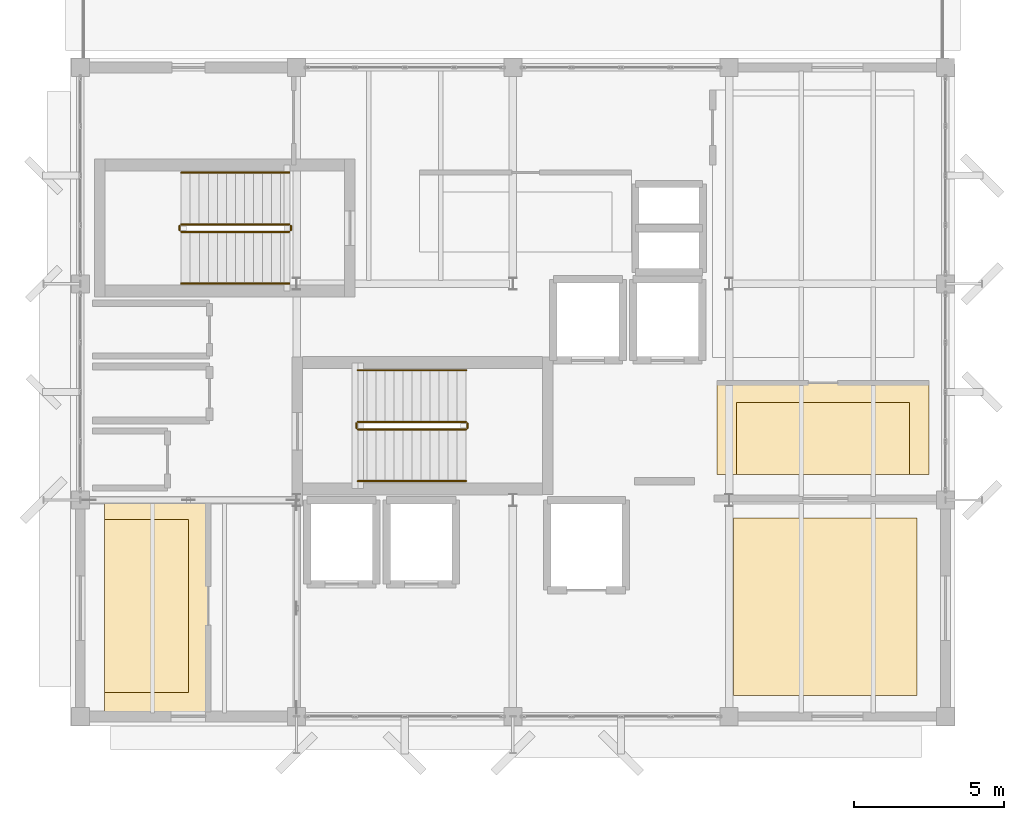
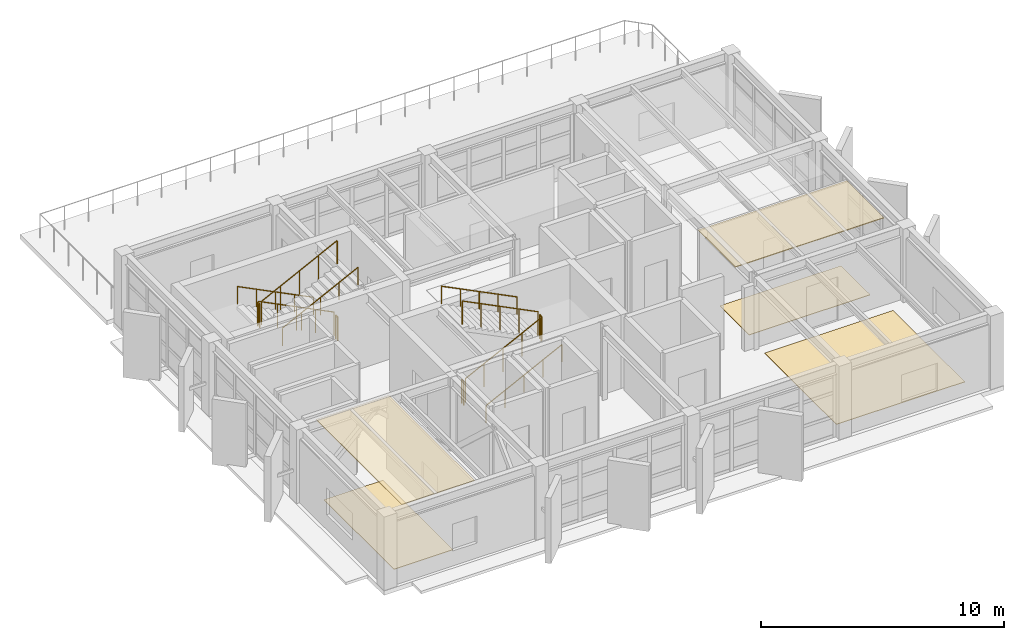
# One storey, part 15 of 16: 12 railings, 5 coverings.
"""IFC4 building model written with IfcOpenShell, lengths in metres."""

from ifc_helpers import new_model, si_unit, direction, frame, origin, origin_2d, place, context, subcontext, project, spatial, polyline, circle, outline, extrude, material, layer, layer_set, type_object, element, save


model = new_model("IFC4")

# Units and contexts
model_context = context("Model", 3, precision=1e-05, world=origin(), true_north=direction((0.0, 1.0)))
body_context = subcontext(model_context, "Body", "Model", "MODEL_VIEW")
ifc_project = project(units=[si_unit("LENGTHUNIT", "METRE"), si_unit("AREAUNIT", "SQUARE_METRE"), si_unit("VOLUMEUNIT", "CUBIC_METRE"), si_unit("PLANEANGLEUNIT", "RADIAN"), si_unit("MASSUNIT", "GRAM", prefix="KILO")], contexts=[model_context])

# Site, building, storey
site_placement = place(None, origin())
site = spatial("IfcSite", under=ifc_project, at=site_placement, CompositionType="ELEMENT")
building_placement = place(site_placement, origin())
building = spatial("IfcBuilding", under=site, at=building_placement, Name="Kandorven Conservatory and Botanical Research Centre", CompositionType="ELEMENT")
storey_placement = place(building_placement, frame((0.0, 0.0, 44.39990234375)))
storey = spatial("IfcBuildingStorey", under=building, at=storey_placement, Name="L11", CompositionType="ELEMENT", Elevation=44.39990234375)

# Coverings
ifc_material_1 = material(Name="Perforated mineral-fibre acoustic ceiling tile", Category="gypsum")
ifc_layer_1 = layer(ifc_material_1, 0.0400390625)
ifc_layer_set_1 = layer_set([ifc_layer_1], Name="Perforated mineral-fibre acoustic ceiling tile")
covering_type_1 = type_object("IfcCoveringType", Name="Cov_Ceiling_1", PredefinedType="CEILING", material=ifc_layer_set_1)
covering_1_placement = place(storey_placement, frame((0.0, 0.0, 3.630126953125)))
element("IfcCovering", 1, at=covering_1_placement, inside=storey, type_object=covering_type_1, Name="Suspended acoustic ceiling CLG-01 (Seed Ecology Research Studio L11)", PredefinedType="CEILING", context=body_context, shape_type="SweptSolid", body=[
    extrude(outline(polyline([(27.199951171875, 14.050048828125), (34.25, 14.050048828125), (34.25, 17.10009765625), (27.199951171875, 17.10009765625), (27.199951171875, 14.050048828125)])), origin(), (0.0, 0.0, 1.0), 0.0400390625),
])
covering_2_placement = place(storey_placement, frame((0.0, 0.0, 3.630126953125)))
element("IfcCovering", 2, at=covering_2_placement, inside=storey, type_object=covering_type_1, Name="Suspended acoustic ceiling CLG-01 (Senior Curator Research Studio L11)", PredefinedType="CEILING", context=body_context, shape_type="SweptSolid", body=[
    extrude(outline(polyline([(6.800048828125, 6.14990234375), (10.25, 6.14990234375), (10.25, 13.199951171875), (6.800048828125, 13.199951171875), (6.800048828125, 6.14990234375)])), origin(), (0.0, 0.0, 1.0), 0.0400390625),
])
ifc_material_2 = material(Name="Honed Kota stone and epoxy laboratory flooring", Category="masonry")
ifc_layer_2 = layer(ifc_material_2, 0.02490234375)
ifc_layer_set_2 = layer_set([ifc_layer_2], Name="Honed Kota stone and epoxy laboratory flooring")
covering_type_2 = type_object("IfcCoveringType", Name="Cov_Flooring_1", PredefinedType="FLOORING", material=ifc_layer_set_2)
covering_3_placement = place(storey_placement, origin())
element("IfcCovering", 3, at=covering_3_placement, inside=storey, type_object=covering_type_2, Name="Floor finish FLR-01 (Seed Ecology Research Studio L11)", PredefinedType="FLOORING", context=body_context, shape_type="SweptSolid", body=[
    extrude(outline(polyline([(27.85009765625, 14.050048828125), (33.60009765625, 14.050048828125), (33.60009765625, 16.449951171875), (27.85009765625, 16.449951171875), (27.85009765625, 14.050048828125)])), origin(), (0.0, 0.0, 1.0), 0.025146484375),
])
covering_4_placement = place(storey_placement, origin())
element("IfcCovering", 4, at=covering_4_placement, inside=storey, type_object=covering_type_2, Name="Floor finish FLR-01 (Herbarium Desiccant Dehumidification Plant Room L11)", PredefinedType="FLOORING", context=body_context, shape_type="SweptSolid", body=[
    extrude(outline(polyline([(27.75, 6.699951171875), (33.85009765625, 6.699951171875), (33.85009765625, 12.60009765625), (27.75, 12.60009765625), (27.75, 6.699951171875)])), origin(), (0.0, 0.0, 1.0), 0.025146484375),
])
covering_5_placement = place(storey_placement, origin())
element("IfcCovering", 5, at=covering_5_placement, inside=storey, type_object=covering_type_2, Name="Floor finish FLR-01 (Senior Curator Research Studio L11)", PredefinedType="FLOORING", context=body_context, shape_type="SweptSolid", body=[
    extrude(outline(polyline([(6.800048828125, 6.800048828125), (9.60009765625, 6.800048828125), (9.60009765625, 12.550048828125), (6.800048828125, 12.550048828125), (6.800048828125, 6.800048828125)])), origin(), (0.0, 0.0, 1.0), 0.025146484375),
])

# Railings
ifc_material_3 = material(Name="Steel S355 (IS 2062 E350)", Category="steel")
railing_type_1 = type_object("IfcRailingType", Name="StairGuard_1150", PredefinedType="BALUSTRADE", material=ifc_material_3)
railing_1_placement = place(storey_placement, frame((15.239990234375, 15.550048828125, 0.150146484375)))
element("IfcRailing", 6, at=railing_1_placement, inside=storey, type_object=railing_type_1, Name="L11 ST-T1 stair guard 1", PredefinedType="BALUSTRADE", context=body_context, shape_type="SweptSolid", body=[
    extrude(circle(Radius=0.02392578125, at=origin_2d()), frame((0.0, 0.0, 1.17578125), z_axis=(0.894427191, 0.0, 0.4472135955), x_axis=(0.0, 1.0, 0.0)), (0.0, 0.0, 1.0), 4.025146484375),
    extrude(circle(Radius=0.02099609375, at=origin_2d()), origin(), (0.0, 0.0, 1.0), 1.15185546875),
    extrude(circle(Radius=0.02099609375, at=origin_2d()), frame((0.89990234375, 0.0, 0.449951171875)), (0.0, 0.0, 1.0), 1.15185546875),
    extrude(circle(Radius=0.02099609375, at=origin_2d()), frame((1.800048828125, 0.0, 0.89990234375)), (0.0, 0.0, 1.0), 1.15185546875),
    extrude(circle(Radius=0.02099609375, at=origin_2d()), frame((2.7001953125, 0.0, 1.35009765625)), (0.0, 0.0, 1.0), 1.15185546875),
    extrude(circle(Radius=0.02099609375, at=origin_2d()), frame((3.60009765625, 0.0, 1.800048828125)), (0.0, 0.0, 1.0), 1.15185546875),
])
railing_2_placement = place(storey_placement, frame((18.889892578125, 15.60009765625, 1.9501953125)))
element("IfcRailing", 7, at=railing_2_placement, inside=storey, type_object=railing_type_1, Name="L11 ST-T1 stair guard 2", PredefinedType="BALUSTRADE", context=body_context, shape_type="SweptSolid", body=[
    extrude(circle(Radius=0.02392578125, at=origin_2d()), frame((0.0, 0.0, 1.17578125), z_axis=(0.0, 1.0, 0.0), x_axis=(-1.0, 0.0, 0.0)), (0.0, 0.0, 1.0), 0.14990234375),
    extrude(circle(Radius=0.02099609375, at=origin_2d()), origin(), (0.0, 0.0, 1.0), 1.15185546875),
    extrude(circle(Radius=0.02099609375, at=origin_2d()), frame((0.0, 0.14990234375, 0.0)), (0.0, 0.0, 1.0), 1.15185546875),
])
railing_3_placement = place(storey_placement, frame((18.840087890625, 15.800048828125, 2.10009765625)))
element("IfcRailing", 8, at=railing_3_placement, inside=storey, type_object=railing_type_1, Name="L11 ST-T1 stair guard 3", PredefinedType="BALUSTRADE", context=body_context, shape_type="SweptSolid", body=[
    extrude(circle(Radius=0.02392578125, at=origin_2d()), frame((0.0, 0.0, 1.17578125), z_axis=(-0.894427191, 0.0, 0.4472135955), x_axis=(0.0, -1.0, 0.0)), (0.0, 0.0, 1.0), 4.025146484375),
    extrude(circle(Radius=0.02099609375, at=origin_2d()), origin(), (0.0, 0.0, 1.0), 1.15185546875),
    extrude(circle(Radius=0.02099609375, at=origin_2d()), frame((-0.89990234375, 0.0, 0.449951171875)), (0.0, 0.0, 1.0), 1.15185546875),
    extrude(circle(Radius=0.02099609375, at=origin_2d()), frame((-1.800048828125, 0.0, 0.89990234375)), (0.0, 0.0, 1.0), 1.15185546875),
    extrude(circle(Radius=0.02099609375, at=origin_2d()), frame((-2.7001953125, 0.0, 1.35009765625)), (0.0, 0.0, 1.0), 1.15185546875),
    extrude(circle(Radius=0.02099609375, at=origin_2d()), frame((-3.60009765625, 0.0, 1.800048828125)), (0.0, 0.0, 1.0), 1.15185546875),
])
railing_4_placement = place(storey_placement, frame((15.18994140625, 15.60009765625, 0.0)))
element("IfcRailing", 9, at=railing_4_placement, inside=storey, type_object=railing_type_1, Name="L11 ST-T1 stair guard 4", PredefinedType="BALUSTRADE", context=body_context, shape_type="SweptSolid", body=[
    extrude(circle(Radius=0.02392578125, at=origin_2d()), frame((0.0, 0.0, 1.17578125), z_axis=(0.0, 1.0, 0.0), x_axis=(-1.0, 0.0, 0.0)), (0.0, 0.0, 1.0), 0.14990234375),
    extrude(circle(Radius=0.02099609375, at=origin_2d()), origin(), (0.0, 0.0, 1.0), 1.15185546875),
    extrude(circle(Radius=0.02099609375, at=origin_2d()), frame((0.0, 0.14990234375, 0.0)), (0.0, 0.0, 1.0), 1.15185546875),
])
railing_5_placement = place(storey_placement, frame((12.9599609375, 22.3798828125, 0.150146484375)))
element("IfcRailing", 10, at=railing_5_placement, inside=storey, type_object=railing_type_1, Name="L11 ST-T2 stair guard 1", PredefinedType="BALUSTRADE", context=body_context, shape_type="SweptSolid", body=[
    extrude(circle(Radius=0.02392578125, at=origin_2d()), frame((0.0, 0.0, 1.17578125), z_axis=(-0.894415058897, 0.0, 0.447237858884), x_axis=(0.0, -1.0, 0.0)), (0.0, 0.0, 1.0), 4.02490234375),
    extrude(circle(Radius=0.02099609375, at=origin_2d()), origin(), (0.0, 0.0, 1.0), 1.15185546875),
    extrude(circle(Radius=0.02099609375, at=origin_2d()), frame((-0.89990234375, 0.0, 0.449951171875)), (0.0, 0.0, 1.0), 1.15185546875),
    extrude(circle(Radius=0.02099609375, at=origin_2d()), frame((-1.7998046875, 0.0, 0.89990234375)), (0.0, 0.0, 1.0), 1.15185546875),
    extrude(circle(Radius=0.02099609375, at=origin_2d()), frame((-2.699951171875, 0.0, 1.35009765625)), (0.0, 0.0, 1.0), 1.15185546875),
    extrude(circle(Radius=0.02099609375, at=origin_2d()), frame((-3.599853515625, 0.0, 1.800048828125)), (0.0, 0.0, 1.0), 1.15185546875),
])
railing_6_placement = place(storey_placement, frame((9.31005859375, 22.330078125, 1.9501953125)))
element("IfcRailing", 11, at=railing_6_placement, inside=storey, type_object=railing_type_1, Name="L11 ST-T2 stair guard 2", PredefinedType="BALUSTRADE", context=body_context, shape_type="SweptSolid", body=[
    extrude(circle(Radius=0.02392578125, at=origin_2d()), frame((0.0, 0.0, 1.17578125), z_axis=(0.0, -1.0, 0.0), x_axis=(1.0, 0.0, 0.0)), (0.0, 0.0, 1.0), 0.150146484375),
    extrude(circle(Radius=0.02099609375, at=origin_2d()), origin(), (0.0, 0.0, 1.0), 1.15185546875),
    extrude(circle(Radius=0.02099609375, at=origin_2d()), frame((0.0, -0.150146484375, 0.0)), (0.0, 0.0, 1.0), 1.15185546875),
])
railing_7_placement = place(storey_placement, frame((9.360107421875, 22.1298828125, 2.10009765625)))
element("IfcRailing", 12, at=railing_7_placement, inside=storey, type_object=railing_type_1, Name="L11 ST-T2 stair guard 3", PredefinedType="BALUSTRADE", context=body_context, shape_type="SweptSolid", body=[
    extrude(circle(Radius=0.02392578125, at=origin_2d()), frame((0.0, 0.0, 1.17578125), z_axis=(0.894415058897, 0.0, 0.447237858884), x_axis=(0.0, 1.0, 0.0)), (0.0, 0.0, 1.0), 4.02490234375),
    extrude(circle(Radius=0.02099609375, at=origin_2d()), origin(), (0.0, 0.0, 1.0), 1.15185546875),
    extrude(circle(Radius=0.02099609375, at=origin_2d()), frame((0.89990234375, 0.0, 0.449951171875)), (0.0, 0.0, 1.0), 1.15185546875),
    extrude(circle(Radius=0.02099609375, at=origin_2d()), frame((1.7998046875, 0.0, 0.89990234375)), (0.0, 0.0, 1.0), 1.15185546875),
    extrude(circle(Radius=0.02099609375, at=origin_2d()), frame((2.699951171875, 0.0, 1.35009765625)), (0.0, 0.0, 1.0), 1.15185546875),
    extrude(circle(Radius=0.02099609375, at=origin_2d()), frame((3.599853515625, 0.0, 1.800048828125)), (0.0, 0.0, 1.0), 1.15185546875),
])
railing_8_placement = place(storey_placement, frame((13.010009765625, 22.330078125, 0.0)))
element("IfcRailing", 13, at=railing_8_placement, inside=storey, type_object=railing_type_1, Name="L11 ST-T2 stair guard 4", PredefinedType="BALUSTRADE", context=body_context, shape_type="SweptSolid", body=[
    extrude(circle(Radius=0.02392578125, at=origin_2d()), frame((0.0, 0.0, 1.17578125), z_axis=(0.0, -1.0, 0.0), x_axis=(1.0, 0.0, 0.0)), (0.0, 0.0, 1.0), 0.150146484375),
    extrude(circle(Radius=0.02099609375, at=origin_2d()), origin(), (0.0, 0.0, 1.0), 1.15185546875),
    extrude(circle(Radius=0.02099609375, at=origin_2d()), frame((0.0, -0.150146484375, 0.0)), (0.0, 0.0, 1.0), 1.15185546875),
])
ifc_material_4 = material(Name="Steel S355 (IS 2062 E350)", Category="steel")
railing_type_2 = type_object("IfcRailingType", Name="StairHandrail_900", PredefinedType="HANDRAIL", material=ifc_material_4)
railing_9_placement = place(storey_placement, frame((15.239990234375, 13.830078125, 0.150146484375)))
element("IfcRailing", 14, at=railing_9_placement, inside=storey, type_object=railing_type_2, Name="L11 ST-T1 stair handrail 1", PredefinedType="HANDRAIL", context=body_context, shape_type="SweptSolid", body=[
    extrude(circle(Radius=0.02392578125, at=origin_2d()), frame((0.0, 0.0, 0.8759765625), z_axis=(0.894427191, 0.0, 0.4472135955), x_axis=(0.0, 1.0, 0.0)), (0.0, 0.0, 1.0), 4.025146484375),
    extrude(circle(Radius=0.02099609375, at=origin_2d()), origin(), (0.0, 0.0, 1.0), 0.851806640625),
    extrude(circle(Radius=0.02099609375, at=origin_2d()), frame((0.89990234375, 0.0, 0.449951171875)), (0.0, 0.0, 1.0), 0.851806640625),
    extrude(circle(Radius=0.02099609375, at=origin_2d()), frame((1.800048828125, 0.0, 0.89990234375)), (0.0, 0.0, 1.0), 0.851806640625),
    extrude(circle(Radius=0.02099609375, at=origin_2d()), frame((2.7001953125, 0.0, 1.35009765625)), (0.0, 0.0, 1.0), 0.851806640625),
    extrude(circle(Radius=0.02099609375, at=origin_2d()), frame((3.60009765625, 0.0, 1.800048828125)), (0.0, 0.0, 1.0), 0.851806640625),
])
railing_10_placement = place(storey_placement, frame((18.840087890625, 17.52001953125, 2.10009765625)))
element("IfcRailing", 15, at=railing_10_placement, inside=storey, type_object=railing_type_2, Name="L11 ST-T1 stair handrail 2", PredefinedType="HANDRAIL", context=body_context, shape_type="SweptSolid", body=[
    extrude(circle(Radius=0.02392578125, at=origin_2d()), frame((0.0, 0.0, 0.8759765625), z_axis=(-0.894427191, 0.0, 0.4472135955), x_axis=(0.0, -1.0, 0.0)), (0.0, 0.0, 1.0), 4.025146484375),
    extrude(circle(Radius=0.02099609375, at=origin_2d()), origin(), (0.0, 0.0, 1.0), 0.851806640625),
    extrude(circle(Radius=0.02099609375, at=origin_2d()), frame((-0.89990234375, 0.0, 0.449951171875)), (0.0, 0.0, 1.0), 0.851806640625),
    extrude(circle(Radius=0.02099609375, at=origin_2d()), frame((-1.800048828125, 0.0, 0.89990234375)), (0.0, 0.0, 1.0), 0.851806640625),
    extrude(circle(Radius=0.02099609375, at=origin_2d()), frame((-2.7001953125, 0.0, 1.35009765625)), (0.0, 0.0, 1.0), 0.851806640625),
    extrude(circle(Radius=0.02099609375, at=origin_2d()), frame((-3.60009765625, 0.0, 1.800048828125)), (0.0, 0.0, 1.0), 0.851806640625),
])
railing_11_placement = place(storey_placement, frame((12.9599609375, 24.10009765625, 0.150146484375)))
element("IfcRailing", 16, at=railing_11_placement, inside=storey, type_object=railing_type_2, Name="L11 ST-T2 stair handrail 1", PredefinedType="HANDRAIL", context=body_context, shape_type="SweptSolid", body=[
    extrude(circle(Radius=0.02392578125, at=origin_2d()), frame((0.0, 0.0, 0.8759765625), z_axis=(-0.894415058897, 0.0, 0.447237858884), x_axis=(0.0, -1.0, 0.0)), (0.0, 0.0, 1.0), 4.02490234375),
    extrude(circle(Radius=0.02099609375, at=origin_2d()), origin(), (0.0, 0.0, 1.0), 0.851806640625),
    extrude(circle(Radius=0.02099609375, at=origin_2d()), frame((-0.89990234375, 0.0, 0.449951171875)), (0.0, 0.0, 1.0), 0.851806640625),
    extrude(circle(Radius=0.02099609375, at=origin_2d()), frame((-1.7998046875, 0.0, 0.89990234375)), (0.0, 0.0, 1.0), 0.851806640625),
    extrude(circle(Radius=0.02099609375, at=origin_2d()), frame((-2.699951171875, 0.0, 1.35009765625)), (0.0, 0.0, 1.0), 0.851806640625),
    extrude(circle(Radius=0.02099609375, at=origin_2d()), frame((-3.599853515625, 0.0, 1.800048828125)), (0.0, 0.0, 1.0), 0.851806640625),
])
railing_12_placement = place(storey_placement, frame((9.360107421875, 20.409912109375, 2.10009765625)))
element("IfcRailing", 17, at=railing_12_placement, inside=storey, type_object=railing_type_2, Name="L11 ST-T2 stair handrail 2", PredefinedType="HANDRAIL", context=body_context, shape_type="SweptSolid", body=[
    extrude(circle(Radius=0.02392578125, at=origin_2d()), frame((0.0, 0.0, 0.8759765625), z_axis=(0.894415058897, 0.0, 0.447237858884), x_axis=(0.0, 1.0, 0.0)), (0.0, 0.0, 1.0), 4.02490234375),
    extrude(circle(Radius=0.02099609375, at=origin_2d()), origin(), (0.0, 0.0, 1.0), 0.851806640625),
    extrude(circle(Radius=0.02099609375, at=origin_2d()), frame((0.89990234375, 0.0, 0.449951171875)), (0.0, 0.0, 1.0), 0.851806640625),
    extrude(circle(Radius=0.02099609375, at=origin_2d()), frame((1.7998046875, 0.0, 0.89990234375)), (0.0, 0.0, 1.0), 0.851806640625),
    extrude(circle(Radius=0.02099609375, at=origin_2d()), frame((2.699951171875, 0.0, 1.35009765625)), (0.0, 0.0, 1.0), 0.851806640625),
    extrude(circle(Radius=0.02099609375, at=origin_2d()), frame((3.599853515625, 0.0, 1.800048828125)), (0.0, 0.0, 1.0), 0.851806640625),
])

save(model, "model.ifc")
